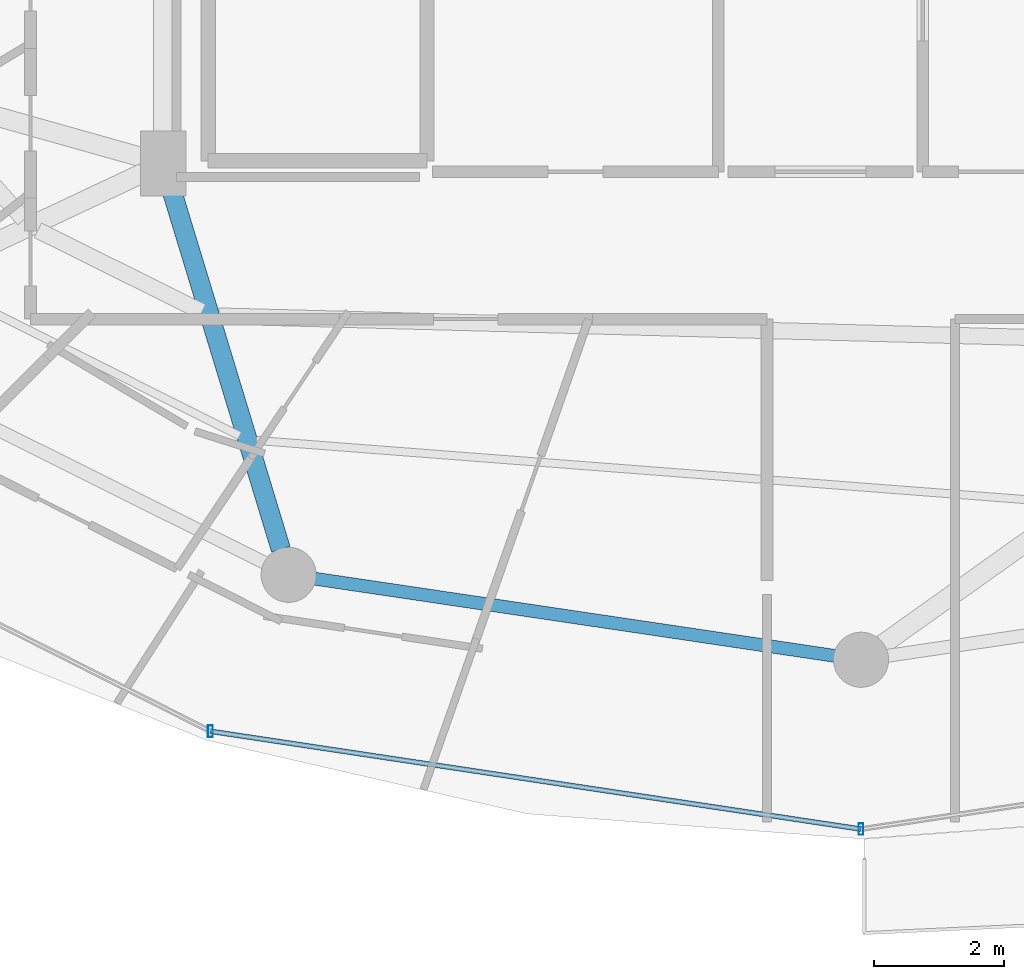
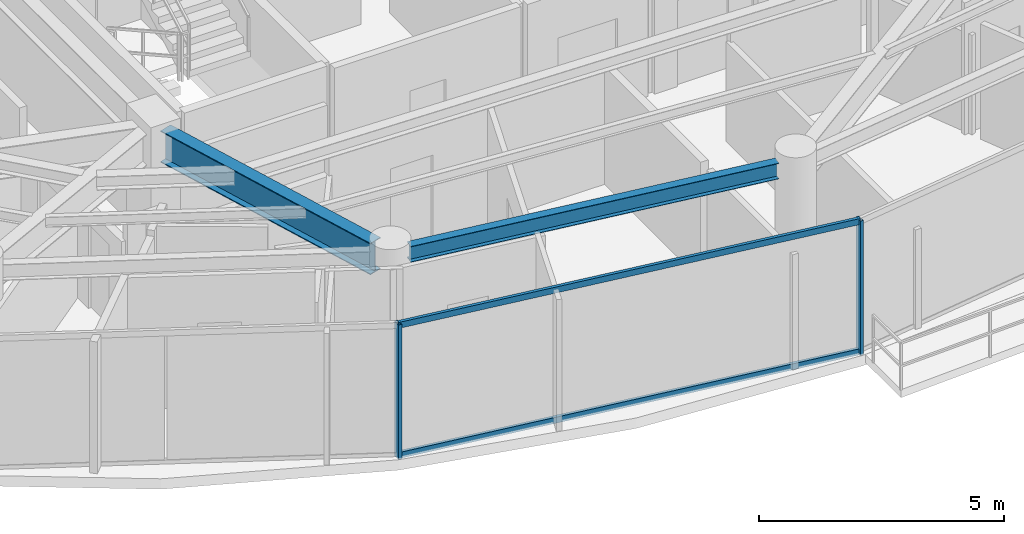
# One storey, part 4 of 29: 4 members, 2 beams, 1 element without a shape of its own.
"""IFC4 building model written with IfcOpenShell, lengths in metres."""

from ifc_helpers import new_model, si_unit, direction, frame, origin, origin_2d, place, context, subcontext, project, spatial, hollow_rectangle, i_section, extrude, material, material_profile, profile_set, type_object, element, aggregate, save


model = new_model("IFC4")

# Units and contexts
model_context = context("Model", 3, precision=1e-05, world=origin(), true_north=direction((0.0, 1.0)))
body_context = subcontext(model_context, "Body", "Model", "MODEL_VIEW")
ifc_project = project(units=[si_unit("LENGTHUNIT", "METRE"), si_unit("AREAUNIT", "SQUARE_METRE"), si_unit("VOLUMEUNIT", "CUBIC_METRE"), si_unit("PLANEANGLEUNIT", "RADIAN"), si_unit("MASSUNIT", "GRAM", prefix="KILO")], contexts=[model_context])

# Site, building, storey
site_placement = place(None, origin())
site = spatial("IfcSite", under=ifc_project, at=site_placement, CompositionType="ELEMENT")
building_placement = place(site_placement, origin())
building = spatial("IfcBuilding", under=site, at=building_placement, Name="Vorneva Point Tower", CompositionType="ELEMENT")
storey_placement = place(building_placement, frame((0.0, 0.0, 255.550048828125)))
storey = spatial("IfcBuildingStorey", under=building, at=storey_placement, Name="L69", CompositionType="ELEMENT", Elevation=255.550048828125)

# Beams
ifc_material_1 = material(Name="Steel S355", Category="steel")
ifc_material_profile_1 = material_profile(ifc_material_1, i_section(OverallWidth=0.300048828125, OverallDepth=0.7880859375, WebThickness=0.014404296875, FlangeThickness=0.02197265625, at=origin_2d()), Name="80Sh1")
ifc_profile_set_1 = profile_set([ifc_material_profile_1], Name="Steel S355")
beam_type_1 = type_object("IfcBeamType", Name="BM-GRD-80Sh1", PredefinedType="USERDEFINED", material=ifc_profile_set_1)
beam_1_placement = place(storey_placement, frame((29.058837890625, 10.50439453125, 2.89599609375), z_axis=(-0.291032624293, 0.956713129207, 0.0), x_axis=(-0.956713129207, -0.291032624293, 0.0)))
element("IfcBeam", 1, at=beam_1_placement, inside=storey, type_object=beam_type_1, Name="L69 Radial Primary Girder 12", ObjectType="GIRDER", PredefinedType="USERDEFINED", context=body_context, shape_type="SweptSolid", body=[
    extrude(i_section(OverallWidth=0.300048828125, OverallDepth=0.7880859375, WebThickness=0.014404296875, FlangeThickness=0.02197265625, at=origin_2d()), origin(), (0.0, 0.0, 1.0), 5.874755859375),
])
ifc_material_profile_2 = material_profile(ifc_material_1, i_section(OverallWidth=0.198974609375, OverallDepth=0.39599609375, WebThickness=0.007080078125, FlangeThickness=0.010986328125, at=origin_2d()), Name="40B1")
ifc_profile_set_2 = profile_set([ifc_material_profile_2], Name="Steel S355")
beam_type_2 = type_object("IfcBeamType", Name="BM-SPN-40B1", PredefinedType="SPANDREL", material=ifc_profile_set_2)
beam_2_placement = place(storey_placement, frame((29.584716796875, 10.049072265625, 3.092041015625), z_axis=(0.989161657331, -0.146830567886, 0.0), x_axis=(0.146830567886, 0.989161657331, 0.0)))
element("IfcBeam", 2, at=beam_2_placement, inside=storey, type_object=beam_type_2, Name="L69 Perimeter Spandrel Ring Beam 12", PredefinedType="SPANDREL", context=body_context, shape_type="SweptSolid", body=[
    extrude(i_section(OverallWidth=0.198974609375, OverallDepth=0.39599609375, WebThickness=0.007080078125, FlangeThickness=0.010986328125, at=origin_2d()), origin(), (0.0, 0.0, 1.0), 8.097412109375),
])

# Curtain wall, members
ifc_material_2 = material(Name="Pale anodised aluminium", Category="aluminium")
curtain_wall_type = type_object("IfcCurtainWallType", Name="CW-RES-SYS", PredefinedType="NOTDEFINED", material=ifc_material_2)
curtain_wall_placement = place(storey_placement, origin())
curtain_wall = element("IfcCurtainWall", 3, at=curtain_wall_placement, inside=storey, type_object=curtain_wall_type, Name="L69 Unitised Curtain Wall CW-L69-R04", PredefinedType="NOTDEFINED")
ifc_material_profile_3 = material_profile(ifc_material_2, hollow_rectangle(XDim=0.074951171875, YDim=0.179931640625, WallThickness=0.00390625, at=origin_2d()), Name="AL-MUL 180x75x4")
ifc_profile_set_3 = profile_set([ifc_material_profile_3], Name="Pale anodised aluminium")
member_type_1 = type_object("IfcMemberType", Name="CW-MUL-180", PredefinedType="MULLION", material=ifc_profile_set_3)
member_1_placement = place(storey_placement, frame((27.9736328125, 7.697998046875, -0.0400390625), z_axis=(0.0, 0.0, 1.0), x_axis=(1.0, 0.0, 0.0)))
member_1 = element("IfcMember", 4, at=member_1_placement, type_object=member_type_1, Name="CW-L69-R04 Mullion 02", PredefinedType="MULLION", context=body_context, shape_type="SweptSolid", body=[
    extrude(hollow_rectangle(XDim=0.074951171875, YDim=0.179931640625, WallThickness=0.00390625, at=origin_2d()), origin(), (0.0, 0.0, 1.0), 3.360107421875),
])
member_2_placement = place(storey_placement, frame((38.0, 6.18994140625, -0.0400390625), z_axis=(0.0, 0.0, 1.0), x_axis=(1.0, 0.0, 0.0)))
member_2 = element("IfcMember", 5, at=member_2_placement, type_object=member_type_1, Name="CW-L69-R04 Mullion 03", PredefinedType="MULLION", context=body_context, shape_type="SweptSolid", body=[
    extrude(hollow_rectangle(XDim=0.074951171875, YDim=0.179931640625, WallThickness=0.00390625, at=origin_2d()), origin(), (0.0, 0.0, 1.0), 3.360107421875),
])
ifc_material_profile_4 = material_profile(ifc_material_2, hollow_rectangle(XDim=0.074951171875, YDim=0.14990234375, WallThickness=0.00390625, at=origin_2d()), Name="AL-TRN 150x75x4")
ifc_profile_set_4 = profile_set([ifc_material_profile_4], Name="Pale anodised aluminium")
member_type_2 = type_object("IfcMemberType", Name="CW-TRN-150", PredefinedType="USERDEFINED", material=ifc_profile_set_4)
member_3_placement = place(storey_placement, frame((27.9736328125, 7.697998046875, 0.02001953125), z_axis=(0.988876929856, -0.148736066907, 0.0), x_axis=(0.148736066907, 0.988876929856, 0.0)))
member_3 = element("IfcMember", 6, at=member_3_placement, type_object=member_type_2, Name="CW-L69-R04 Transom 02.1", ObjectType="TRANSOM", PredefinedType="USERDEFINED", context=body_context, shape_type="SweptSolid", body=[
    extrude(hollow_rectangle(XDim=0.074951171875, YDim=0.14990234375, WallThickness=0.00390625, at=origin_2d()), origin(), (0.0, 0.0, 1.0), 10.13916015625),
])
member_4_placement = place(storey_placement, frame((27.9736328125, 7.697998046875, 3.27001953125), z_axis=(0.988876929856, -0.148736066907, 0.0), x_axis=(0.148736066907, 0.988876929856, 0.0)))
member_4 = element("IfcMember", 7, at=member_4_placement, type_object=member_type_2, Name="CW-L69-R04 Transom 02.2", ObjectType="TRANSOM", PredefinedType="USERDEFINED", context=body_context, shape_type="SweptSolid", body=[
    extrude(hollow_rectangle(XDim=0.074951171875, YDim=0.14990234375, WallThickness=0.00390625, at=origin_2d()), origin(), (0.0, 0.0, 1.0), 10.13916015625),
])
aggregate(curtain_wall, [member_1, member_2, member_3, member_4])

save(model, "model.ifc")
